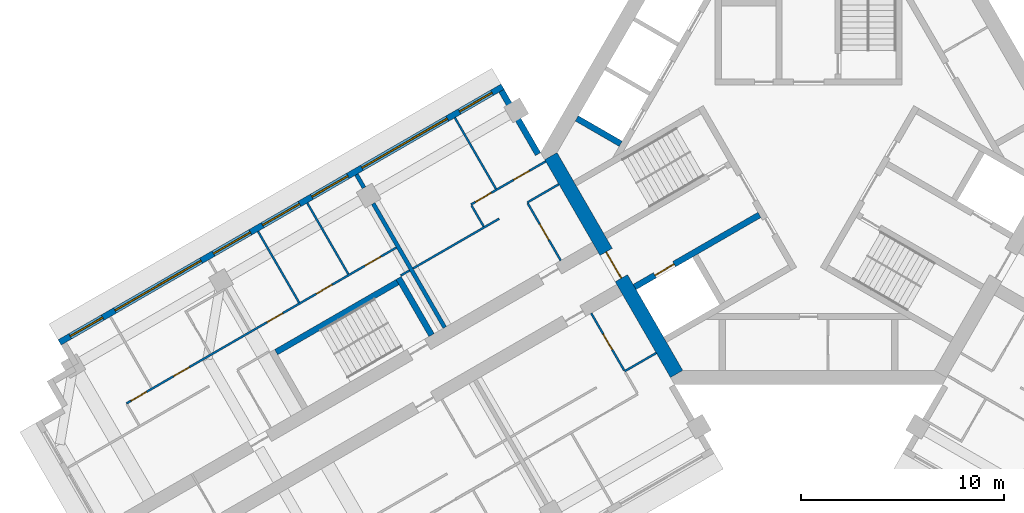
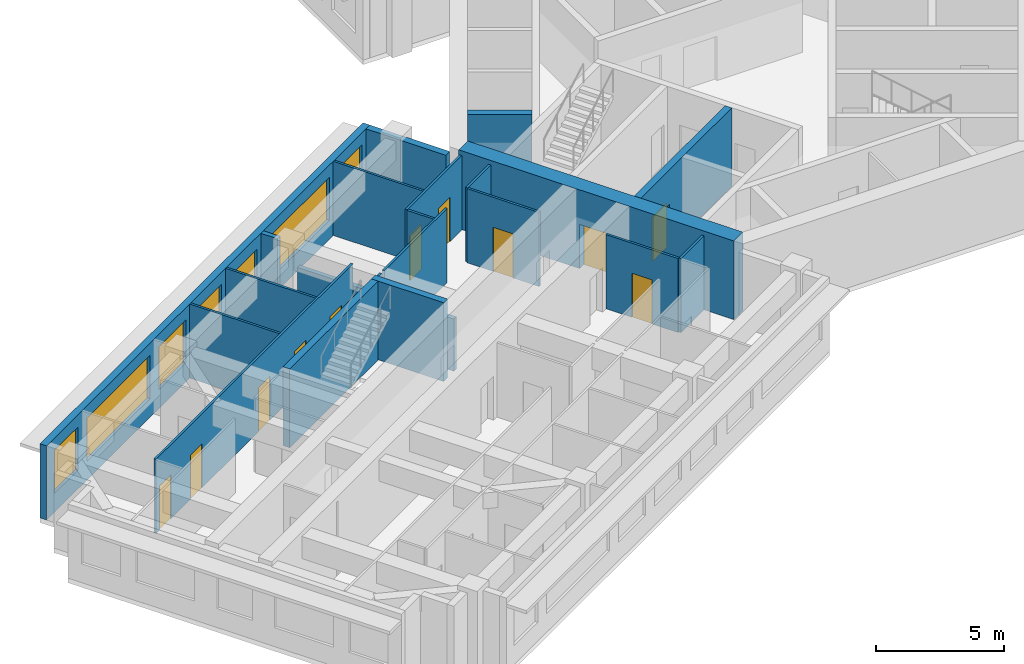
# One storey, part 4 of 12: 21 walls, 11 doors, 7 windows, 18 openings.
"""IFC4 building model written with IfcOpenShell, lengths in metres."""

from ifc_helpers import new_model, si_unit, direction, frame, frame_2d, origin, place, context, subcontext, project, spatial, rectangle, extrude, material, layer, layer_set, type_object, element, fill, save


model = new_model("IFC4")

# Units and contexts
model_context = context("Model", 3, precision=1e-05, world=origin(), true_north=direction((0.0, 1.0)))
body_context = subcontext(model_context, "Body", "Model", "MODEL_VIEW")
ifc_project = project(units=[si_unit("LENGTHUNIT", "METRE"), si_unit("AREAUNIT", "SQUARE_METRE"), si_unit("VOLUMEUNIT", "CUBIC_METRE"), si_unit("PLANEANGLEUNIT", "RADIAN"), si_unit("MASSUNIT", "GRAM", prefix="KILO")], contexts=[model_context])

# Site, building, storey
site_placement = place(None, origin())
site = spatial("IfcSite", under=ifc_project, at=site_placement, CompositionType="ELEMENT")
building_placement = place(site_placement, origin())
building = spatial("IfcBuilding", under=site, at=building_placement, Name="Impinga Residences", CompositionType="ELEMENT")
storey_placement = place(building_placement, frame((0.0, 0.0, 214.75)))
storey = spatial("IfcBuildingStorey", under=building, at=storey_placement, Name="L53", CompositionType="ELEMENT", Elevation=214.75)

# Wall, openings, windows
ifc_material_1 = material(Name="Terracotta rainscreen on blockwork", Category="masonry")
ifc_layer_1 = layer(ifc_material_1, 0.300048828125)
ifc_layer_set_1 = layer_set([ifc_layer_1], Name="EW1 external wall, terracotta rainscreen on blockwork 300")
wall_type_1 = type_object("IfcWallType", Name="EW1 external wall, terracotta rainscreen on blockwork 300", PredefinedType="SOLIDWALL", material=ifc_layer_set_1)
wall_1_placement = place(storey_placement, frame((-36.89892578125, -9.352294921875, 0.0), z_axis=(0.0, 0.0, 1.0), x_axis=(0.86602925447, 0.499993330357, 0.0)))
wall_1 = element("IfcWall", 1, at=wall_1_placement, inside=storey, type_object=wall_type_1, Name="External wall EW1 L53", PredefinedType="SOLIDWALL", context=body_context, shape_type="SweptSolid", body=[
    extrude(rectangle(XDim=25.199951171875, YDim=0.300048828125, at=frame_2d((12.60009765625, 0.0))), origin(), (0.0, 0.0, 1.0), 3.530029296875),
])
opening_1_placement = place(wall_1_placement, frame((0.60009765625, 0.0, 0.89990234375)))
opening_1 = element("IfcOpeningElement", 2, at=opening_1_placement, cuts=wall_1, Name="Opening W15", PredefinedType="OPENING", context=body_context, shape_type="SweptSolid", body=[
    extrude(rectangle(XDim=1.85009765625, YDim=2.050048828125, at=frame_2d((0.925048828125, 1.02490234375))), frame((0.0, 0.159912109375, 0.0), z_axis=(0.0, -1.0, 0.0), x_axis=(1.0, 0.0, 0.0)), (0.0, 0.0, 1.0), 0.320068359375),
])
opening_2_placement = place(wall_1_placement, frame((3.14990234375, 0.0, 0.89990234375)))
opening_2 = element("IfcOpeningElement", 3, at=opening_2_placement, cuts=wall_1, Name="Opening W16", PredefinedType="OPENING", context=body_context, shape_type="SweptSolid", body=[
    extrude(rectangle(XDim=4.89990234375, YDim=2.050048828125, at=frame_2d((2.449951171875, 1.02490234375))), frame((0.0, 0.159912109375, 0.0), z_axis=(0.0, -1.0, 0.0), x_axis=(1.0, 0.0, 0.0)), (0.0, 0.0, 1.0), 0.320068359375),
])
opening_3_placement = place(wall_1_placement, frame((8.75, 0.0, 0.89990234375)))
opening_3 = element("IfcOpeningElement", 4, at=opening_3_placement, cuts=wall_1, Name="Opening W9", PredefinedType="OPENING", context=body_context, shape_type="SweptSolid", body=[
    extrude(rectangle(XDim=2.10009765625, YDim=2.050048828125, at=frame_2d((1.050048828125, 1.02490234375))), frame((0.0, 0.159912109375, 0.0), z_axis=(0.0, -1.0, 0.0), x_axis=(1.0, 0.0, 0.0)), (0.0, 0.0, 1.0), 0.320068359375),
])
opening_4_placement = place(wall_1_placement, frame((11.550048828125, 0.0, 0.89990234375)))
opening_4 = element("IfcOpeningElement", 5, at=opening_4_placement, cuts=wall_1, Name="Opening W9", PredefinedType="OPENING", context=body_context, shape_type="SweptSolid", body=[
    extrude(rectangle(XDim=2.10009765625, YDim=2.050048828125, at=frame_2d((1.050048828125, 1.02490234375))), frame((0.0, 0.159912109375, 0.0), z_axis=(0.0, -1.0, 0.0), x_axis=(1.0, 0.0, 0.0)), (0.0, 0.0, 1.0), 0.320068359375),
])
opening_5_placement = place(wall_1_placement, frame((14.35009765625, 0.0, 0.89990234375)))
opening_5 = element("IfcOpeningElement", 6, at=opening_5_placement, cuts=wall_1, Name="Opening W14", PredefinedType="OPENING", context=body_context, shape_type="SweptSolid", body=[
    extrude(rectangle(XDim=2.050048828125, YDim=2.050048828125, at=frame_2d((1.02490234375, 1.02490234375))), frame((0.0, 0.159912109375, 0.0), z_axis=(0.0, -1.0, 0.0), x_axis=(1.0, 0.0, 0.0)), (0.0, 0.0, 1.0), 0.320068359375),
])
opening_6_placement = place(wall_1_placement, frame((17.199951171875, 0.0, 0.89990234375)))
opening_6 = element("IfcOpeningElement", 7, at=opening_6_placement, cuts=wall_1, Name="Opening W6", PredefinedType="OPENING", context=body_context, shape_type="SweptSolid", body=[
    extrude(rectangle(XDim=4.85009765625, YDim=2.050048828125, at=frame_2d((2.425048828125, 1.02490234375))), frame((0.0, 0.159912109375, 0.0), z_axis=(0.0, -1.0, 0.0), x_axis=(1.0, 0.0, 0.0)), (0.0, 0.0, 1.0), 0.320068359375),
])
opening_7_placement = place(wall_1_placement, frame((22.75, 0.0, 0.89990234375)))
opening_7 = element("IfcOpeningElement", 8, at=opening_7_placement, cuts=wall_1, Name="Opening W15", PredefinedType="OPENING", context=body_context, shape_type="SweptSolid", body=[
    extrude(rectangle(XDim=1.85009765625, YDim=2.050048828125, at=frame_2d((0.925048828125, 1.02490234375))), frame((0.0, 0.159912109375, 0.0), z_axis=(0.0, -1.0, 0.0), x_axis=(1.0, 0.0, 0.0)), (0.0, 0.0, 1.0), 0.320068359375),
])
ifc_material_2 = material(Name="Aluminium window, clear double glazing", Category="aluminium")
window_type_1 = type_object("IfcWindowType", Name="W14 ribbon window 2050x2050", PartitioningType="SINGLE_PANEL", PredefinedType="WINDOW", material=ifc_material_2)
window_1_placement = place(opening_5_placement, origin())
window_1 = element("IfcWindow", 9, at=window_1_placement, inside=storey, type_object=window_type_1, Name="Window L53", OverallHeight=2.050048828125, OverallWidth=2.050048828125, PartitioningType="SINGLE_PANEL", PredefinedType="WINDOW", context=body_context, shape_type="SweptSolid", body=[
    extrude(rectangle(XDim=2.050048828125, YDim=2.050048828125, at=frame_2d((1.02490234375, 1.02490234375))), frame((0.0, 0.030029296875, 0.0), z_axis=(0.0, -1.0, 0.0), x_axis=(1.0, 0.0, 0.0)), (0.0, 0.0, 1.0), 0.06005859375),
])
fill(opening_5, window_1)
window_type_2 = type_object("IfcWindowType", Name="W15 ribbon window 1850x2050", PartitioningType="SINGLE_PANEL", PredefinedType="WINDOW", material=ifc_material_2)
window_2_placement = place(opening_1_placement, origin())
window_2 = element("IfcWindow", 10, at=window_2_placement, inside=storey, type_object=window_type_2, Name="Window L53", OverallHeight=2.050048828125, OverallWidth=1.85009765625, PartitioningType="SINGLE_PANEL", PredefinedType="WINDOW", context=body_context, shape_type="SweptSolid", body=[
    extrude(rectangle(XDim=1.85009765625, YDim=2.050048828125, at=frame_2d((0.925048828125, 1.02490234375))), frame((0.0, 0.030029296875, 0.0), z_axis=(0.0, -1.0, 0.0), x_axis=(1.0, 0.0, 0.0)), (0.0, 0.0, 1.0), 0.06005859375),
])
fill(opening_1, window_2)
window_3_placement = place(opening_7_placement, origin())
window_3 = element("IfcWindow", 11, at=window_3_placement, inside=storey, type_object=window_type_2, Name="Window L53", OverallHeight=2.050048828125, OverallWidth=1.85009765625, PartitioningType="SINGLE_PANEL", PredefinedType="WINDOW", context=body_context, shape_type="SweptSolid", body=[
    extrude(rectangle(XDim=1.85009765625, YDim=2.050048828125, at=frame_2d((0.925048828125, 1.02490234375))), frame((0.0, 0.030029296875, 0.0), z_axis=(0.0, -1.0, 0.0), x_axis=(1.0, 0.0, 0.0)), (0.0, 0.0, 1.0), 0.06005859375),
])
fill(opening_7, window_3)
window_type_3 = type_object("IfcWindowType", Name="W16 ribbon window 4900x2050", PartitioningType="SINGLE_PANEL", PredefinedType="WINDOW", material=ifc_material_2)
window_4_placement = place(opening_2_placement, origin())
window_4 = element("IfcWindow", 12, at=window_4_placement, inside=storey, type_object=window_type_3, Name="Window L53", OverallHeight=2.050048828125, OverallWidth=4.89990234375, PartitioningType="SINGLE_PANEL", PredefinedType="WINDOW", context=body_context, shape_type="SweptSolid", body=[
    extrude(rectangle(XDim=4.89990234375, YDim=2.050048828125, at=frame_2d((2.449951171875, 1.02490234375))), frame((0.0, 0.030029296875, 0.0), z_axis=(0.0, -1.0, 0.0), x_axis=(1.0, 0.0, 0.0)), (0.0, 0.0, 1.0), 0.06005859375),
])
fill(opening_2, window_4)
window_type_4 = type_object("IfcWindowType", Name="W6 ribbon window 4850x2050", PartitioningType="SINGLE_PANEL", PredefinedType="WINDOW", material=ifc_material_2)
window_5_placement = place(opening_6_placement, origin())
window_5 = element("IfcWindow", 13, at=window_5_placement, inside=storey, type_object=window_type_4, Name="Window L53", OverallHeight=2.050048828125, OverallWidth=4.85009765625, PartitioningType="SINGLE_PANEL", PredefinedType="WINDOW", context=body_context, shape_type="SweptSolid", body=[
    extrude(rectangle(XDim=4.85009765625, YDim=2.050048828125, at=frame_2d((2.425048828125, 1.02490234375))), frame((0.0, 0.030029296875, 0.0), z_axis=(0.0, -1.0, 0.0), x_axis=(1.0, 0.0, 0.0)), (0.0, 0.0, 1.0), 0.06005859375),
])
fill(opening_6, window_5)
window_type_5 = type_object("IfcWindowType", Name="W9 ribbon window 2100x2050", PartitioningType="SINGLE_PANEL", PredefinedType="WINDOW", material=ifc_material_2)
window_6_placement = place(opening_3_placement, origin())
window_6 = element("IfcWindow", 14, at=window_6_placement, inside=storey, type_object=window_type_5, Name="Window L53", OverallHeight=2.050048828125, OverallWidth=2.10009765625, PartitioningType="SINGLE_PANEL", PredefinedType="WINDOW", context=body_context, shape_type="SweptSolid", body=[
    extrude(rectangle(XDim=2.10009765625, YDim=2.050048828125, at=frame_2d((1.050048828125, 1.02490234375))), frame((0.0, 0.030029296875, 0.0), z_axis=(0.0, -1.0, 0.0), x_axis=(1.0, 0.0, 0.0)), (0.0, 0.0, 1.0), 0.06005859375),
])
fill(opening_3, window_6)
window_7_placement = place(opening_4_placement, origin())
window_7 = element("IfcWindow", 15, at=window_7_placement, inside=storey, type_object=window_type_5, Name="Window L53", OverallHeight=2.050048828125, OverallWidth=2.10009765625, PartitioningType="SINGLE_PANEL", PredefinedType="WINDOW", context=body_context, shape_type="SweptSolid", body=[
    extrude(rectangle(XDim=2.10009765625, YDim=2.050048828125, at=frame_2d((1.050048828125, 1.02490234375))), frame((0.0, 0.030029296875, 0.0), z_axis=(0.0, -1.0, 0.0), x_axis=(1.0, 0.0, 0.0)), (0.0, 0.0, 1.0), 0.06005859375),
])
fill(opening_4, window_7)

# Walls
wall_2_placement = place(storey_placement, frame((-15.1298828125, 3.042724609375, 0.0), z_axis=(0.0, 0.0, 1.0), x_axis=(0.500012057535, -0.866018442252, 0.0)))
element("IfcWall", 16, at=wall_2_placement, inside=storey, type_object=wall_type_1, Name="External wall EW1 L53", PredefinedType="SOLIDWALL", context=body_context, shape_type="SweptSolid", body=[
    extrude(rectangle(XDim=3.60009765625, YDim=0.300048828125, at=frame_2d((1.800048828125, 0.0))), origin(), (0.0, 0.0, 1.0), 3.530029296875),
])
ifc_material_3 = material(Name="Gypsum board on steel studs", Category="steel")
ifc_layer_2 = layer(ifc_material_3, 0.10009765625)
ifc_layer_set_2 = layer_set([ifc_layer_2], Name="Gypsum board on steel studs")
wall_type_2 = type_object("IfcWallType", Name="IP1 partition 100", PredefinedType="PARTITIONING", material=ifc_layer_set_2)
wall_3_placement = place(storey_placement, frame((-7.5, -9.872802734375, 0.0), z_axis=(0.0, 0.0, 1.0), x_axis=(-0.866047807691, -0.499961193289, 0.0)))
element("IfcWall", 17, at=wall_3_placement, inside=storey, type_object=wall_type_2, Name="Partition L53-WA1:DIV0", PredefinedType="PARTITIONING", context=body_context, shape_type="SweptSolid", body=[
    extrude(rectangle(XDim=1.800048828125, YDim=0.10009765625, at=frame_2d((0.89990234375, 0.0))), origin(), (0.0, 0.0, 1.0), 3.530029296875),
])

# Wall, opening, door
wall_4_placement = place(storey_placement, frame((-10.708740234375, -7.914794921875, 0.0), z_axis=(0.0, 0.0, 1.0), x_axis=(0.499984717929, -0.866034226713, 0.0)))
wall_4 = element("IfcWall", 18, at=wall_4_placement, inside=storey, type_object=wall_type_2, Name="Partition L53-WA1:IB1", PredefinedType="PARTITIONING", context=body_context, shape_type="SweptSolid", body=[
    extrude(rectangle(XDim=3.25, YDim=0.10009765625, at=frame_2d((1.625, 0.0))), origin(), (0.0, 0.0, 1.0), 3.530029296875),
])
opening_8_placement = place(wall_4_placement, frame((1.175048828125, 0.0, 0.0)))
opening_8 = element("IfcOpeningElement", 19, at=opening_8_placement, cuts=wall_4, Name="Opening D2", PredefinedType="OPENING", context=body_context, shape_type="SweptSolid", body=[
    extrude(rectangle(XDim=0.89990234375, YDim=2.10009765625, at=frame_2d((0.449951171875, 1.050048828125))), frame((0.0, 0.06005859375, 0.0), z_axis=(0.0, -1.0, 0.0), x_axis=(1.0, 0.0, 0.0)), (0.0, 0.0, 1.0), 0.1201171875),
])
ifc_material_4 = material(Name="Timber door set", Category="wood")
door_type_1 = type_object("IfcDoorType", Name="D2 internal door 900x2100", OperationType="SINGLE_SWING_LEFT", PredefinedType="DOOR", material=ifc_material_4)
door_1_placement = place(opening_8_placement, origin())
door_1 = element("IfcDoor", 20, at=door_1_placement, inside=storey, type_object=door_type_1, Name="Apartment L53-WA1 bathroom door", OperationType="SINGLE_SWING_LEFT", OverallHeight=2.10009765625, OverallWidth=0.89990234375, PredefinedType="DOOR", context=body_context, shape_type="SweptSolid", body=[
    extrude(rectangle(XDim=0.89990234375, YDim=2.10009765625, at=frame_2d((0.449951171875, 1.050048828125))), frame((0.0, 0.02490234375, 0.0), z_axis=(0.0, -1.0, 0.0), x_axis=(1.0, 0.0, 0.0)), (0.0, 0.0, 1.0), 0.050048828125),
])
fill(opening_8, door_1)

# Walls
wall_5_placement = place(storey_placement, frame((-12.300048828125, -1.558837890625, 0.0), z_axis=(0.0, 0.0, 1.0), x_axis=(-0.866047807691, -0.499961193289, 0.0)))
element("IfcWall", 21, at=wall_5_placement, inside=storey, type_object=wall_type_2, Name="Partition L53-WF1:DIV0", PredefinedType="PARTITIONING", context=body_context, shape_type="SweptSolid", body=[
    extrude(rectangle(XDim=1.800048828125, YDim=0.10009765625, at=frame_2d((0.89990234375, 0.0))), origin(), (0.0, 0.0, 1.0), 3.530029296875),
])
wall_6_placement = place(storey_placement, frame((-15.244384765625, -3.2587890625, 0.0), z_axis=(0.0, 0.0, 1.0), x_axis=(-0.866036242063, -0.49998122708, 0.0)))
element("IfcWall", 22, at=wall_6_placement, inside=storey, type_object=wall_type_2, Name="Partition L53-WF1:DIV1", PredefinedType="PARTITIONING", context=body_context, shape_type="SweptSolid", body=[
    extrude(rectangle(XDim=4.900146484375, YDim=0.10009765625, at=frame_2d((2.4501953125, 0.0))), origin(), (0.0, 0.0, 1.0), 3.530029296875),
])

# Wall, openings, doors
wall_7_placement = place(storey_placement, frame((-12.949951171875, -0.43310546875, 0.0), z_axis=(0.0, 0.0, 1.0), x_axis=(-0.866028703517, -0.499994284652, 0.0)))
wall_7 = element("IfcWall", 23, at=wall_7_placement, inside=storey, type_object=wall_type_2, Name="Partition L53-WF1:STRIP", PredefinedType="PARTITIONING", context=body_context, shape_type="SweptSolid", body=[
    extrude(rectangle(XDim=4.25, YDim=0.10009765625, at=frame_2d((2.125, 0.0))), origin(), (0.0, 0.0, 1.0), 3.530029296875),
])
opening_9_placement = place(wall_7_placement, frame((0.925048828125, 0.0, 0.0)))
opening_9 = element("IfcOpeningElement", 24, at=opening_9_placement, cuts=wall_7, Name="Opening D2", PredefinedType="OPENING", context=body_context, shape_type="SweptSolid", body=[
    extrude(rectangle(XDim=0.89990234375, YDim=2.10009765625, at=frame_2d((0.449951171875, 1.050048828125))), frame((0.0, 0.06005859375, 0.0), z_axis=(0.0, -1.0, 0.0), x_axis=(1.0, 0.0, 0.0)), (0.0, 0.0, 1.0), 0.1201171875),
])
opening_10_placement = place(wall_7_placement, frame((3.10009765625, 0.0, 0.0)))
opening_10 = element("IfcOpeningElement", 25, at=opening_10_placement, cuts=wall_7, Name="Opening D2", PredefinedType="OPENING", context=body_context, shape_type="SweptSolid", body=[
    extrude(rectangle(XDim=0.89990234375, YDim=2.10009765625, at=frame_2d((0.449951171875, 1.050048828125))), frame((0.0, 0.06005859375, 0.0), z_axis=(0.0, -1.0, 0.0), x_axis=(1.0, 0.0, 0.0)), (0.0, 0.0, 1.0), 0.1201171875),
])
door_2_placement = place(opening_9_placement, origin())
door_2 = element("IfcDoor", 26, at=door_2_placement, inside=storey, type_object=door_type_1, Name="Apartment L53-WF1 room door", OperationType="SINGLE_SWING_LEFT", OverallHeight=2.10009765625, OverallWidth=0.89990234375, PredefinedType="DOOR", context=body_context, shape_type="SweptSolid", body=[
    extrude(rectangle(XDim=0.89990234375, YDim=2.10009765625, at=frame_2d((0.449951171875, 1.050048828125))), frame((0.0, 0.02490234375, 0.0), z_axis=(0.0, -1.0, 0.0), x_axis=(1.0, 0.0, 0.0)), (0.0, 0.0, 1.0), 0.050048828125),
])
fill(opening_9, door_2)
door_3_placement = place(opening_10_placement, origin())
door_3 = element("IfcDoor", 27, at=door_3_placement, inside=storey, type_object=door_type_1, Name="Apartment L53-WF1 room door", OperationType="SINGLE_SWING_RIGHT", OverallHeight=2.10009765625, OverallWidth=0.89990234375, PredefinedType="DOOR", context=body_context, shape_type="SweptSolid", body=[
    extrude(rectangle(XDim=0.89990234375, YDim=2.10009765625, at=frame_2d((0.449951171875, 1.050048828125))), frame((0.0, 0.02490234375, 0.0), z_axis=(0.0, -1.0, 0.0), x_axis=(1.0, 0.0, 0.0)), (0.0, 0.0, 1.0), 0.050048828125),
])
fill(opening_10, door_3)

# Wall
wall_8_placement = place(storey_placement, frame((-16.005615234375, -3.640625, 0.0), z_axis=(0.0, 0.0, 1.0), x_axis=(-0.500033551112, 0.866006032174, 0.0)))
element("IfcWall", 28, at=wall_8_placement, inside=storey, type_object=wall_type_2, Name="Partition L53-WF1:SE1", PredefinedType="PARTITIONING", context=body_context, shape_type="SweptSolid", body=[
    extrude(rectangle(XDim=1.2001953125, YDim=0.10009765625, at=frame_2d((0.60009765625, 0.0))), origin(), (0.0, 0.0, 1.0), 3.530029296875),
])

# Wall, opening, door
wall_9_placement = place(storey_placement, frame((-12.208740234375, -5.316650390625, 0.0), z_axis=(0.0, 0.0, 1.0), x_axis=(-0.500017246033, 0.866015446554, 0.0)))
wall_9 = element("IfcWall", 29, at=wall_9_placement, inside=storey, type_object=wall_type_2, Name="Partition L53-WF1:IB1", PredefinedType="PARTITIONING", context=body_context, shape_type="SweptSolid", body=[
    extrude(rectangle(XDim=3.25, YDim=0.10009765625, at=frame_2d((1.625, 0.0))), origin(), (0.0, 0.0, 1.0), 3.530029296875),
])
opening_11_placement = place(wall_9_placement, frame((1.175048828125, 0.0, 0.0)))
opening_11 = element("IfcOpeningElement", 30, at=opening_11_placement, cuts=wall_9, Name="Opening D2", PredefinedType="OPENING", context=body_context, shape_type="SweptSolid", body=[
    extrude(rectangle(XDim=0.89990234375, YDim=2.10009765625, at=frame_2d((0.449951171875, 1.050048828125))), frame((0.0, 0.06005859375, 0.0), z_axis=(0.0, -1.0, 0.0), x_axis=(1.0, 0.0, 0.0)), (0.0, 0.0, 1.0), 0.1201171875),
])
door_4_placement = place(opening_11_placement, origin())
door_4 = element("IfcDoor", 31, at=door_4_placement, inside=storey, type_object=door_type_1, Name="Apartment L53-WF1 bathroom door", OperationType="SINGLE_SWING_LEFT", OverallHeight=2.10009765625, OverallWidth=0.89990234375, PredefinedType="DOOR", context=body_context, shape_type="SweptSolid", body=[
    extrude(rectangle(XDim=0.89990234375, YDim=2.10009765625, at=frame_2d((0.449951171875, 1.050048828125))), frame((0.0, 0.02490234375, 0.0), z_axis=(0.0, -1.0, 0.0), x_axis=(1.0, 0.0, 0.0)), (0.0, 0.0, 1.0), 0.050048828125),
])
fill(opening_11, door_4)

# Walls
wall_10_placement = place(storey_placement, frame((-15.39990234375, -1.789794921875, 0.0), z_axis=(0.0, 0.0, 1.0), x_axis=(-0.499964223975, 0.866046058097, 0.0)))
element("IfcWall", 32, at=wall_10_placement, inside=storey, type_object=wall_type_2, Name="Partition L53-WF1:OB1", PredefinedType="PARTITIONING", context=body_context, shape_type="SweptSolid", body=[
    extrude(rectangle(XDim=4.050048828125, YDim=0.10009765625, at=frame_2d((2.02490234375, 0.0))), origin(), (0.0, 0.0, 1.0), 3.530029296875),
])
wall_11_placement = place(storey_placement, frame((-19.6611328125, -5.808837890625, 0.0), z_axis=(0.0, 0.0, 1.0), x_axis=(-0.866071776036, -0.499919672301, 0.0)))
element("IfcWall", 33, at=wall_11_placement, inside=storey, type_object=wall_type_2, Name="Partition L53-WF2:DIV0", PredefinedType="PARTITIONING", context=body_context, shape_type="SweptSolid", body=[
    extrude(rectangle(XDim=0.5, YDim=0.10009765625, at=frame_2d((0.25, 0.0))), origin(), (0.0, 0.0, 1.0), 3.530029296875),
])

# Wall, openings, doors
wall_12_placement = place(storey_placement, frame((-20.311279296875, -4.68310546875, 0.0), z_axis=(0.0, 0.0, 1.0), x_axis=(-0.866030377306, -0.499991385509, 0.0)))
wall_12 = element("IfcWall", 34, at=wall_12_placement, inside=storey, type_object=wall_type_2, Name="Partition L53-WF2:STRIP", PredefinedType="PARTITIONING", context=body_context, shape_type="SweptSolid", body=[
    extrude(rectangle(XDim=15.349853515625, YDim=0.10009765625, at=frame_2d((7.6748046875, 0.0))), origin(), (0.0, 0.0, 1.0), 3.530029296875),
])
opening_12_placement = place(wall_12_placement, frame((0.875, 0.0, 0.0)))
opening_12 = element("IfcOpeningElement", 35, at=opening_12_placement, cuts=wall_12, Name="Opening D2", PredefinedType="OPENING", context=body_context, shape_type="SweptSolid", body=[
    extrude(rectangle(XDim=0.89990234375, YDim=2.10009765625, at=frame_2d((0.449951171875, 1.050048828125))), frame((0.0, 0.06005859375, 0.0), z_axis=(0.0, -1.0, 0.0), x_axis=(1.0, 0.0, 0.0)), (0.0, 0.0, 1.0), 0.1201171875),
])
opening_13_placement = place(wall_12_placement, frame((3.64990234375, 0.0, 0.0)))
opening_13 = element("IfcOpeningElement", 36, at=opening_13_placement, cuts=wall_12, Name="Opening D2", PredefinedType="OPENING", context=body_context, shape_type="SweptSolid", body=[
    extrude(rectangle(XDim=0.89990234375, YDim=2.10009765625, at=frame_2d((0.449951171875, 1.050048828125))), frame((0.0, 0.06005859375, 0.0), z_axis=(0.0, -1.0, 0.0), x_axis=(1.0, 0.0, 0.0)), (0.0, 0.0, 1.0), 0.1201171875),
])
opening_14_placement = place(wall_12_placement, frame((6.449951171875, 0.0, 0.0)))
opening_14 = element("IfcOpeningElement", 37, at=opening_14_placement, cuts=wall_12, Name="Opening D2", PredefinedType="OPENING", context=body_context, shape_type="SweptSolid", body=[
    extrude(rectangle(XDim=0.89990234375, YDim=2.10009765625, at=frame_2d((0.449951171875, 1.050048828125))), frame((0.0, 0.06005859375, 0.0), z_axis=(0.0, -1.0, 0.0), x_axis=(1.0, 0.0, 0.0)), (0.0, 0.0, 1.0), 0.1201171875),
])
opening_15_placement = place(wall_12_placement, frame((11.77490234375, 0.0, 0.0)))
opening_15 = element("IfcOpeningElement", 38, at=opening_15_placement, cuts=wall_12, Name="Opening D2", PredefinedType="OPENING", context=body_context, shape_type="SweptSolid", body=[
    extrude(rectangle(XDim=0.89990234375, YDim=2.10009765625, at=frame_2d((0.449951171875, 1.050048828125))), frame((0.0, 0.06005859375, 0.0), z_axis=(0.0, -1.0, 0.0), x_axis=(1.0, 0.0, 0.0)), (0.0, 0.0, 1.0), 0.1201171875),
])
opening_16_placement = place(wall_12_placement, frame((14.199951171875, 0.0, 0.0)))
opening_16 = element("IfcOpeningElement", 39, at=opening_16_placement, cuts=wall_12, Name="Opening D2", PredefinedType="OPENING", context=body_context, shape_type="SweptSolid", body=[
    extrude(rectangle(XDim=0.89990234375, YDim=2.10009765625, at=frame_2d((0.449951171875, 1.050048828125))), frame((0.0, 0.06005859375, 0.0), z_axis=(0.0, -1.0, 0.0), x_axis=(1.0, 0.0, 0.0)), (0.0, 0.0, 1.0), 0.1201171875),
])
door_5_placement = place(opening_12_placement, origin())
door_5 = element("IfcDoor", 40, at=door_5_placement, inside=storey, type_object=door_type_1, Name="Apartment L53-WF2 room door", OperationType="SINGLE_SWING_LEFT", OverallHeight=2.10009765625, OverallWidth=0.89990234375, PredefinedType="DOOR", context=body_context, shape_type="SweptSolid", body=[
    extrude(rectangle(XDim=0.89990234375, YDim=2.10009765625, at=frame_2d((0.449951171875, 1.050048828125))), frame((0.0, 0.02490234375, 0.0), z_axis=(0.0, -1.0, 0.0), x_axis=(1.0, 0.0, 0.0)), (0.0, 0.0, 1.0), 0.050048828125),
])
fill(opening_12, door_5)
door_6_placement = place(opening_13_placement, origin())
door_6 = element("IfcDoor", 41, at=door_6_placement, inside=storey, type_object=door_type_1, Name="Apartment L53-WF2 room door", OperationType="SINGLE_SWING_LEFT", OverallHeight=2.10009765625, OverallWidth=0.89990234375, PredefinedType="DOOR", context=body_context, shape_type="SweptSolid", body=[
    extrude(rectangle(XDim=0.89990234375, YDim=2.10009765625, at=frame_2d((0.449951171875, 1.050048828125))), frame((0.0, 0.02490234375, 0.0), z_axis=(0.0, -1.0, 0.0), x_axis=(1.0, 0.0, 0.0)), (0.0, 0.0, 1.0), 0.050048828125),
])
fill(opening_13, door_6)
door_7_placement = place(opening_14_placement, origin())
door_7 = element("IfcDoor", 42, at=door_7_placement, inside=storey, type_object=door_type_1, Name="Apartment L53-WF2 room door", OperationType="SINGLE_SWING_LEFT", OverallHeight=2.10009765625, OverallWidth=0.89990234375, PredefinedType="DOOR", context=body_context, shape_type="SweptSolid", body=[
    extrude(rectangle(XDim=0.89990234375, YDim=2.10009765625, at=frame_2d((0.449951171875, 1.050048828125))), frame((0.0, 0.02490234375, 0.0), z_axis=(0.0, -1.0, 0.0), x_axis=(1.0, 0.0, 0.0)), (0.0, 0.0, 1.0), 0.050048828125),
])
fill(opening_14, door_7)
door_8_placement = place(opening_15_placement, origin())
door_8 = element("IfcDoor", 43, at=door_8_placement, inside=storey, type_object=door_type_1, Name="Apartment L53-WF2 room door", OperationType="SINGLE_SWING_RIGHT", OverallHeight=2.10009765625, OverallWidth=0.89990234375, PredefinedType="DOOR", context=body_context, shape_type="SweptSolid", body=[
    extrude(rectangle(XDim=0.89990234375, YDim=2.10009765625, at=frame_2d((0.449951171875, 1.050048828125))), frame((0.0, 0.02490234375, 0.0), z_axis=(0.0, -1.0, 0.0), x_axis=(1.0, 0.0, 0.0)), (0.0, 0.0, 1.0), 0.050048828125),
])
fill(opening_15, door_8)
door_9_placement = place(opening_16_placement, origin())
door_9 = element("IfcDoor", 44, at=door_9_placement, inside=storey, type_object=door_type_1, Name="Apartment L53-WF2 room door", OperationType="SINGLE_SWING_RIGHT", OverallHeight=2.10009765625, OverallWidth=0.89990234375, PredefinedType="DOOR", context=body_context, shape_type="SweptSolid", body=[
    extrude(rectangle(XDim=0.89990234375, YDim=2.10009765625, at=frame_2d((0.449951171875, 1.050048828125))), frame((0.0, 0.02490234375, 0.0), z_axis=(0.0, -1.0, 0.0), x_axis=(1.0, 0.0, 0.0)), (0.0, 0.0, 1.0), 0.050048828125),
])
fill(opening_16, door_9)

# Walls
for number, where, z_axis, x_axis, name in (
    (45, (-22.674560546875, -5.98974609375, 0.0), (0.0, 0.0, 1.0), (-0.499990325971, 0.866030989016, 0.0), "Partition L53-WF2:OB1"),
    (46, (-25.099365234375, -7.3896484375, 0.0), (0.0, 0.0, 1.0), (-0.499990325971, 0.866030989016, 0.0), "Partition L53-WF2:OB2"),
):
    element("IfcWall", number, at=place(storey_placement, frame(where, z_axis=z_axis, x_axis=x_axis)), inside=storey, type_object=wall_type_2, Name=name, PredefinedType="PARTITIONING", context=body_context, shape_type="SweptSolid", body=[
        extrude(rectangle(XDim=4.0498046875, YDim=0.10009765625, at=frame_2d((2.02490234375, 0.0))), origin(), (0.0, 0.0, 1.0), 3.530029296875),
    ])
ifc_material_5 = material(Name="Concrete blockwork", Category="masonry")
ifc_layer_3 = layer(ifc_material_5, 0.199951171875)
ifc_layer_set_3 = layer_set([ifc_layer_3], Name="PW1 party wall between apartments 200")
wall_type_3 = type_object("IfcWallType", Name="PW1 party wall between apartments 200", PredefinedType="SOLIDWALL", material=ifc_layer_set_3)
wall_13_placement = place(storey_placement, frame((-17.924560546875, -8.61669921875, 0.0), z_axis=(0.0, 0.0, 1.0), x_axis=(-0.500016218704, 0.866016039709, 0.0)))
element("IfcWall", 47, at=wall_13_placement, inside=storey, type_object=wall_type_3, Name="Party wall between apartments L53-WF1:PARTY", PredefinedType="SOLIDWALL", context=body_context, shape_type="SweptSolid", body=[
    extrude(rectangle(XDim=7.050048828125, YDim=0.199951171875, at=frame_2d((3.52490234375, 0.0))), origin(), (0.0, 0.0, 1.0), 2.47998046875),
])
wall_14_placement = place(storey_placement, frame((-21.899658203125, -1.73193359375, 0.0), z_axis=(0.0, 0.0, 1.0), x_axis=(-0.499919672301, 0.866071776036, 0.0)))
element("IfcWall", 48, at=wall_14_placement, inside=storey, type_object=wall_type_3, Name="Party wall between apartments L53-WF1:PARTYb", PredefinedType="SOLIDWALL", context=body_context, shape_type="SweptSolid", body=[
    extrude(rectangle(XDim=0.75, YDim=0.199951171875, at=frame_2d((0.375, 0.0))), origin(), (0.0, 0.0, 1.0), 3.530029296875),
])
ifc_material_6 = material(Name="Concrete C60/75", Category="concrete")
ifc_layer_4 = layer(ifc_material_6, 0.300048828125)
ifc_layer_set_4 = layer_set([ifc_layer_4], Name="Concrete C60/75")
wall_type_4 = type_object("IfcWallType", Name="SE1 wing stair enclosure wall 300", PredefinedType="SOLIDWALL", material=ifc_layer_set_4)
wall_15_placement = place(storey_placement, frame((-18.57421875, -8.99169921875, 0.0), z_axis=(0.0, 0.0, 1.0), x_axis=(-0.500017246033, 0.866015446554, 0.0)))
element("IfcWall", 49, at=wall_15_placement, inside=storey, type_object=wall_type_4, Name="Stair enclosure wall SE1 W END0 L53", PredefinedType="SOLIDWALL", context=body_context, shape_type="SweptSolid", body=[
    extrude(rectangle(XDim=3.25, YDim=0.300048828125, at=frame_2d((1.625, 0.0))), origin(), (0.0, 0.0, 1.0), 3.75),
])
wall_16_placement = place(storey_placement, frame((-20.254150390625, -6.382080078125, 0.0), z_axis=(0.0, 0.0, 1.0), x_axis=(-0.866020008033, -0.500009345598, 0.0)))
element("IfcWall", 50, at=wall_16_placement, inside=storey, type_object=wall_type_4, Name="Stair enclosure wall SE1 W OUT L53", PredefinedType="SOLIDWALL", context=body_context, shape_type="SweptSolid", body=[
    extrude(rectangle(XDim=6.899658203125, YDim=0.300048828125, at=frame_2d((3.44970703125, 0.0))), origin(), (0.0, 0.0, 1.0), 3.75),
])

# Wall, opening, door
ifc_layer_5 = layer(ifc_material_6, 0.699951171875)
ifc_layer_set_5 = layer_set([ifc_layer_5], Name="Concrete C60/75")
wall_type_5 = type_object("IfcWallType", Name="SW3 core wall 700", PredefinedType="SHEAR", material=ifc_layer_set_5)
wall_17_placement = place(storey_placement, frame((-6.4990234375, -10.906494140625, 0.0), z_axis=(0.0, 0.0, 1.0), x_axis=(-0.499999875397, 0.866025475724, 0.0)))
wall_17 = element("IfcWall", 51, at=wall_17_placement, inside=storey, type_object=wall_type_5, Name="Core wall SW3 W:FACE L53", PredefinedType="SHEAR", context=body_context, shape_type="SweptSolid", body=[
    extrude(rectangle(XDim=12.3916015625, YDim=0.699951171875, at=frame_2d((6.19580078125, 0.0))), origin(), (0.0, 0.0, 1.0), 3.75),
])
opening_17_placement = place(wall_17_placement, frame((5.44580078125, 0.0, 0.0)))
opening_17 = element("IfcOpeningElement", 52, at=opening_17_placement, cuts=wall_17, Name="Opening D4", PredefinedType="OPENING", context=body_context, shape_type="SweptSolid", body=[
    extrude(rectangle(XDim=1.5, YDim=2.10009765625, at=frame_2d((0.75, 1.050048828125))), frame((0.0, 0.35986328125, 0.0), z_axis=(0.0, -1.0, 0.0), x_axis=(1.0, 0.0, 0.0)), (0.0, 0.0, 1.0), 0.719970703125),
])
door_type_2 = type_object("IfcDoorType", Name="D4 lobby door pair 1500x2100", OperationType="DOUBLE_DOOR_DOUBLE_SWING", PredefinedType="DOOR", material=ifc_material_4)
door_10_placement = place(opening_17_placement, origin())
door_10 = element("IfcDoor", 53, at=door_10_placement, inside=storey, type_object=door_type_2, Name="Lobby door W", OperationType="DOUBLE_DOOR_DOUBLE_SWING", OverallHeight=2.10009765625, OverallWidth=1.5, PredefinedType="DOOR", context=body_context, shape_type="SweptSolid", body=[
    extrude(rectangle(XDim=1.5, YDim=2.10009765625, at=frame_2d((0.75, 1.050048828125))), frame((0.0, 0.02490234375, 0.0), z_axis=(0.0, -1.0, 0.0), x_axis=(1.0, 0.0, 0.0)), (0.0, 0.0, 1.0), 0.050048828125),
])
fill(opening_17, door_10)

ifc_material_7 = material(Name="Concrete C70/85", Category="concrete")
ifc_layer_6 = layer(ifc_material_7, 0.300048828125)
ifc_layer_set_6 = layer_set([ifc_layer_6], Name="Concrete C70/85")
wall_type_6 = type_object("IfcWallType", Name="SW5 core inner wall, stairs, shafts and lobbies 300", PredefinedType="SHEAR", material=ifc_layer_set_6)
wall_18_placement = place(storey_placement, frame((-2.418701171875, -3.07080078125, 0.0), z_axis=(0.0, 0.0, 1.0), x_axis=(-0.866025859768, -0.499999210213, 0.0)))
wall_18 = element("IfcWall", 54, at=wall_18_placement, inside=storey, type_object=wall_type_6, Name="Core wall SW5 W:FF-IN L53", PredefinedType="SHEAR", context=body_context, shape_type="SweptSolid", body=[
    extrude(rectangle(XDim=7.1015625, YDim=0.300048828125, at=frame_2d((3.55078125, 0.0))), origin(), (0.0, 0.0, 1.0), 3.75),
])
opening_18_placement = place(wall_18_placement, frame((4.85009765625, 0.0, 0.0)))
opening_18 = element("IfcOpeningElement", 55, at=opening_18_placement, cuts=wall_18, Name="Opening LD2", PredefinedType="OPENING", context=body_context, shape_type="SweptSolid", body=[
    extrude(rectangle(XDim=1.10009765625, YDim=2.10009765625, at=frame_2d((0.550048828125, 1.050048828125))), frame((0.0, 0.159912109375, 0.0), z_axis=(0.0, -1.0, 0.0), x_axis=(1.0, 0.0, 0.0)), (0.0, 0.0, 1.0), 0.320068359375),
])
ifc_material_8 = material(Name="Steel lift landing door", Category="steel")
door_type_3 = type_object("IfcDoorType", Name="LD2 firefighting lift landing door 1100x2100", OperationType="DOUBLE_DOOR_SLIDING", PredefinedType="DOOR", material=ifc_material_8)
door_11_placement = place(opening_18_placement, origin())
door_11 = element("IfcDoor", 56, at=door_11_placement, inside=storey, type_object=door_type_3, Name="Firefighting lift landing door F2", OperationType="DOUBLE_DOOR_SLIDING", OverallHeight=2.10009765625, OverallWidth=1.10009765625, PredefinedType="DOOR", context=body_context, shape_type="SweptSolid", body=[
    extrude(rectangle(XDim=1.10009765625, YDim=2.10009765625, at=frame_2d((0.550048828125, 1.050048828125))), frame((0.0, 0.02490234375, 0.0), z_axis=(0.0, -1.0, 0.0), x_axis=(1.0, 0.0, 0.0)), (0.0, 0.0, 1.0), 0.050048828125),
])
fill(opening_18, door_11)

# Wall
wall_19_placement = place(storey_placement, frame((-9.253662109375, 0.43505859375, 0.0), z_axis=(0.0, 0.0, 1.0), x_axis=(-0.866022959057, 0.500004234368, 0.0)))
element("IfcWall", 57, at=wall_19_placement, inside=storey, type_object=wall_type_6, Name="Core wall SW5 E:BANK-L L53", PredefinedType="SHEAR", context=body_context, shape_type="SweptSolid", body=[
    extrude(rectangle(XDim=2.5, YDim=0.300048828125, at=frame_2d((1.25, 0.0))), origin(), (0.0, 0.0, 1.0), 3.75),
])

save(model, "model.ifc")
